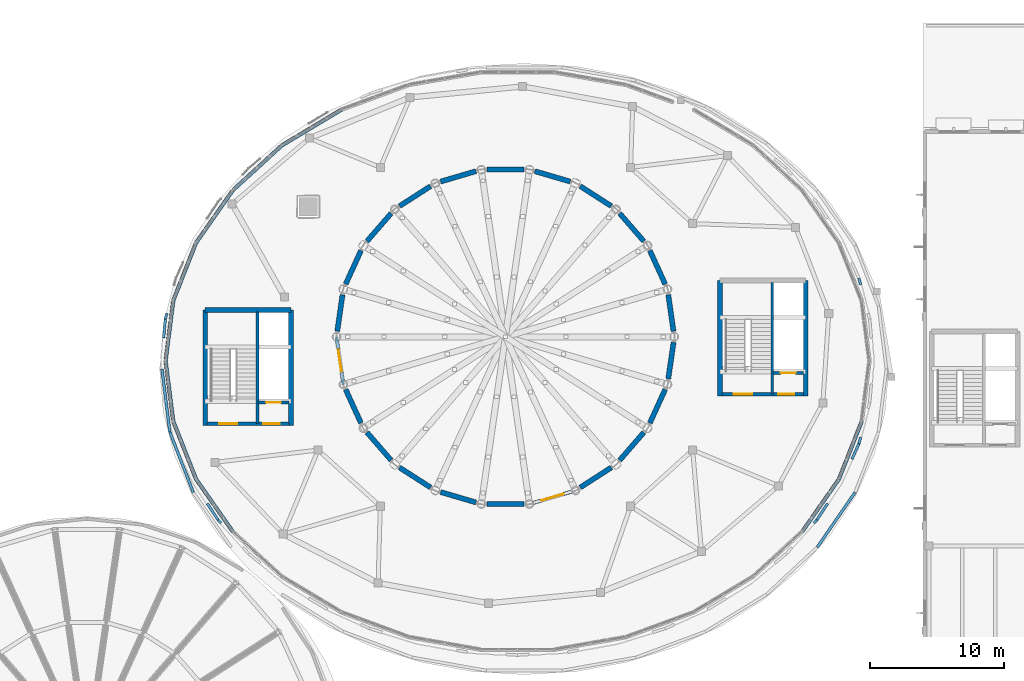
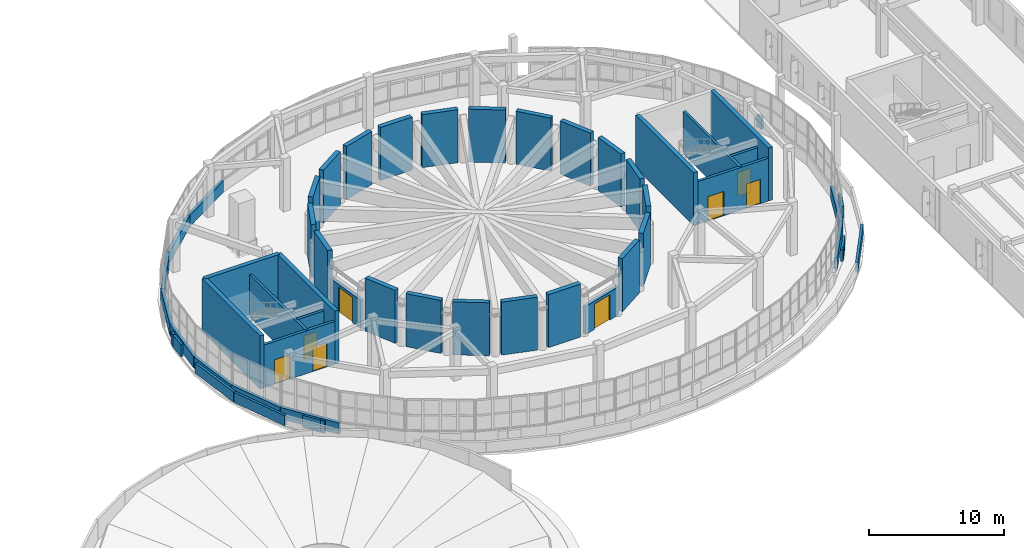
# One storey, part 59 of 69: 55 walls, 8 doors, 8 openings.
"""IFC4 building model written with IfcOpenShell, lengths in metres."""

from ifc_helpers import new_model, si_unit, direction, frame, frame_2d, origin, place, context, subcontext, project, spatial, rectangle, extrude, material, layer, layer_set, type_object, element, fill, save


model = new_model("IFC4")

# Units and contexts
model_context = context("Model", 3, precision=1e-05, world=origin(), true_north=direction((0.0, 1.0)))
body_context = subcontext(model_context, "Body", "Model", "MODEL_VIEW")
ifc_project = project(units=[si_unit("LENGTHUNIT", "METRE"), si_unit("AREAUNIT", "SQUARE_METRE"), si_unit("VOLUMEUNIT", "CUBIC_METRE"), si_unit("PLANEANGLEUNIT", "RADIAN"), si_unit("MASSUNIT", "GRAM", prefix="KILO")], contexts=[model_context])

# Site, building, storey
site_placement = place(None, origin())
site = spatial("IfcSite", under=ifc_project, at=site_placement, CompositionType="ELEMENT")
building_placement = place(site_placement, origin())
building = spatial("IfcBuilding", under=site, at=building_placement, Name="Pelvatis Terrace Science Centre", CompositionType="ELEMENT")
storey_placement = place(building_placement, frame((0.0, 0.0, 15.0)))
storey = spatial("IfcBuildingStorey", under=building, at=storey_placement, Name="L03", CompositionType="ELEMENT", Elevation=15.0)

# Walls
ifc_material_1 = material(Name="White architectural precast concrete C40/50 spandrel", Category="concrete")
ifc_layer_1 = layer(ifc_material_1, 0.27490234375)
ifc_layer_set_1 = layer_set([ifc_layer_1], Name="White architectural precast concrete C40/50 spandrel")
wall_type_1 = type_object("IfcWallType", Name="WL-EXT-SPND-275", PredefinedType="SOLIDWALL", material=ifc_layer_set_1)
wall_1_placement = place(storey_placement, frame((96.97509765625, 102.74951171875, 0.0), z_axis=(0.0, 0.0, 1.0), x_axis=(-0.85778413156, -0.514010100721, 0.0)))
element("IfcWall", 1, at=wall_1_placement, inside=storey, type_object=wall_type_1, Name="V1 white spiral spandrel band 11 (L03)", PredefinedType="SOLIDWALL", context=body_context, shape_type="SweptSolid", body=[
    extrude(rectangle(XDim=5.17578125, YDim=0.27490234375, at=frame_2d((2.587890625, 0.0))), origin(), (0.0, 0.0, 1.0), 1.02001953125),
])
wall_2_placement = place(storey_placement, frame((92.535400390625, 100.089111328125, 0.0), z_axis=(0.0, 0.0, 1.0), x_axis=(-0.737412540924, -0.675442628569, 0.0)))
element("IfcWall", 2, at=wall_2_placement, inside=storey, type_object=wall_type_1, Name="V1 white spiral spandrel band 12 (L03)", PredefinedType="SOLIDWALL", context=body_context, shape_type="SweptSolid", body=[
    extrude(rectangle(XDim=4.979736328125, YDim=0.27490234375, at=frame_2d((2.48974609375, 0.0))), origin(), (0.0, 0.0, 1.0), 1.02001953125),
])
wall_3_placement = place(storey_placement, frame((88.86328125, 96.7255859375, 0.0), z_axis=(0.0, 0.0, 1.0), x_axis=(-0.573479467005, -0.819219934403, 0.0)))
element("IfcWall", 3, at=wall_3_placement, inside=storey, type_object=wall_type_1, Name="V1 white spiral spandrel band 13 (L03)", PredefinedType="SOLIDWALL", context=body_context, shape_type="SweptSolid", body=[
    extrude(rectangle(XDim=4.78466796875, YDim=0.27490234375, at=frame_2d((2.392333984375, 0.0))), origin(), (0.0, 0.0, 1.0), 1.02001953125),
])
wall_4_placement = place(storey_placement, frame((86.119384765625, 92.805908203125, 0.0), z_axis=(0.0, 0.0, 1.0), x_axis=(-0.366527286819, -0.930407302216, 0.0)))
element("IfcWall", 4, at=wall_4_placement, inside=storey, type_object=wall_type_1, Name="V1 white spiral spandrel band 14 (L03)", PredefinedType="SOLIDWALL", context=body_context, shape_type="SweptSolid", body=[
    extrude(rectangle(XDim=4.626708984375, YDim=0.27490234375, at=frame_2d((2.3134765625, 0.0))), origin(), (0.0, 0.0, 1.0), 1.02001953125),
])
for number, where, z_axis, x_axis, name in (
    (5, (84.423583984375, 88.501220703125, 0.0), (0.0, 0.0, 1.0), (-0.126385200064, -0.991981240349, 0.0), "V1 white spiral spandrel band 15 (L03)"),
    (6, (83.85009765625, 84.0, 0.0), (0.0, 0.0, 1.0), (0.126385200064, -0.991981240349, 0.0), "V1 white spiral spandrel band 16 (L03)"),
):
    element("IfcWall", number, at=place(storey_placement, frame(where, z_axis=z_axis, x_axis=x_axis)), inside=storey, type_object=wall_type_1, Name=name, PredefinedType="SOLIDWALL", context=body_context, shape_type="SweptSolid", body=[
        extrude(rectangle(XDim=4.53759765625, YDim=0.27490234375, at=frame_2d((2.268798828125, 0.0))), origin(), (0.0, 0.0, 1.0), 1.02001953125),
    ])
wall_5_placement = place(storey_placement, frame((84.423583984375, 79.498779296875, 0.0), z_axis=(0.0, 0.0, 1.0), x_axis=(0.366527286819, -0.930407302216, 0.0)))
element("IfcWall", 7, at=wall_5_placement, inside=storey, type_object=wall_type_1, Name="V1 white spiral spandrel band 17 (L03)", PredefinedType="SOLIDWALL", context=body_context, shape_type="SweptSolid", body=[
    extrude(rectangle(XDim=4.626708984375, YDim=0.27490234375, at=frame_2d((2.3134765625, 0.0))), origin(), (0.0, 0.0, 1.0), 1.02001953125),
])
for number, where, z_axis, x_axis, name in (
    (8, (86.119384765625, 75.194091796875, 0.0), (0.0, 0.0, 1.0), (0.573479467005, -0.819219934403, 0.0), "V1 white spiral spandrel band 18 (L03)"),
    (9, (131.336669921875, 71.2744140625, 0.0), (0.0, 0.0, 1.0), (0.573479467005, 0.819219934403, 0.0), "V1 white spiral spandrel band 28 (L03)"),
):
    element("IfcWall", number, at=place(storey_placement, frame(where, z_axis=z_axis, x_axis=x_axis)), inside=storey, type_object=wall_type_1, Name=name, PredefinedType="SOLIDWALL", context=body_context, shape_type="SweptSolid", body=[
        extrude(rectangle(XDim=4.78466796875, YDim=0.27490234375, at=frame_2d((2.392333984375, 0.0))), origin(), (0.0, 0.0, 1.0), 1.02001953125),
    ])
wall_6_placement = place(storey_placement, frame((134.08056640625, 75.194091796875, 0.0), z_axis=(0.0, 0.0, 1.0), x_axis=(0.366527286819, 0.930407302216, 0.0)))
element("IfcWall", 10, at=wall_6_placement, inside=storey, type_object=wall_type_1, Name="V1 white spiral spandrel band 29 (L03)", PredefinedType="SOLIDWALL", context=body_context, shape_type="SweptSolid", body=[
    extrude(rectangle(XDim=4.626708984375, YDim=0.27490234375, at=frame_2d((2.3134765625, 0.0))), origin(), (0.0, 0.0, 1.0), 1.02001953125),
])

# Wall, opening, door
ifc_material_2 = material(Name="Double-stud acoustic gypsum and masonry partition", Category="masonry")
ifc_layer_2 = layer(ifc_material_2, 0.2548828125)
ifc_layer_set_2 = layer_set([ifc_layer_2], Name="Double-stud acoustic gypsum and masonry partition")
wall_type_2 = type_object("IfcWallType", Name="WL-INT-ACOU-255", PredefinedType="PARTITIONING", material=ifc_layer_set_2)
wall_7_placement = place(storey_placement, frame((96.60009765625, 85.800048828125, 0.0), z_axis=(0.0, 0.0, 1.0), x_axis=(0.142279062089, -0.98982658506, 0.0)))
wall_7 = element("IfcWall", 11, at=wall_7_placement, inside=storey, type_object=wall_type_2, Name="Planetarium auditorium acoustic portal wall W", PredefinedType="PARTITIONING", context=body_context, shape_type="SweptSolid", body=[
    extrude(rectangle(XDim=3.586181640625, YDim=0.2548828125, at=frame_2d((1.79296875, 0.0))), origin(), (0.0, 0.0, 1.0), 2.550048828125),
])
opening_1_placement = place(wall_7_placement, frame((0.943115234375, 0.0, 0.0)))
opening_1 = element("IfcOpeningElement", 12, at=opening_1_placement, cuts=wall_7, Name="Opening D-162", PredefinedType="OPENING", context=body_context, shape_type="SweptSolid", body=[
    extrude(rectangle(XDim=1.699951171875, YDim=2.300048828125, at=frame_2d((0.85009765625, 1.14990234375))), frame((0.0, 0.137451171875, 0.0), z_axis=(0.0, -1.0, 0.0), x_axis=(1.0, 0.0, 0.0)), (0.0, 0.0, 1.0), 0.27490234375),
])
ifc_material_3 = material(Name="Acoustic light-lock planetarium double door", Category="wood")
door_type_1 = type_object("IfcDoorType", Name="DR-PLAN-1700x2300", OperationType="NOTDEFINED", PredefinedType="DOOR", material=ifc_material_3)
door_1_placement = place(opening_1_placement, origin())
door_1 = element("IfcDoor", 13, at=door_1_placement, inside=storey, type_object=door_type_1, Name="Planetarium auditorium W acoustic double door", OperationType="DOUBLE_DOOR_SINGLE_SWING", OverallHeight=2.300048828125, OverallWidth=1.699951171875, PredefinedType="DOOR", context=body_context, shape_type="SweptSolid", body=[
    extrude(rectangle(XDim=1.699951171875, YDim=2.300048828125, at=frame_2d((0.85009765625, 1.14990234375))), frame((0.0, 0.02490234375, 0.0), z_axis=(0.0, -1.0, 0.0), x_axis=(1.0, 0.0, 0.0)), (0.0, 0.0, 1.0), 0.050048828125),
])
fill(opening_1, door_1)

wall_8_placement = place(storey_placement, frame((110.9931640625, 73.328125, 0.0), z_axis=(0.0, 0.0, 1.0), x_axis=(0.959481412085, 0.281771928808, 0.0)))
wall_8 = element("IfcWall", 14, at=wall_8_placement, inside=storey, type_object=wall_type_2, Name="Planetarium auditorium acoustic portal wall S", PredefinedType="PARTITIONING", context=body_context, shape_type="SweptSolid", body=[
    extrude(rectangle(XDim=3.586181640625, YDim=0.2548828125, at=frame_2d((1.79296875, 0.0))), origin(), (0.0, 0.0, 1.0), 2.550048828125),
])
opening_2_placement = place(wall_8_placement, frame((0.943115234375, 0.0, 0.0)))
opening_2 = element("IfcOpeningElement", 15, at=opening_2_placement, cuts=wall_8, Name="Opening D-163", PredefinedType="OPENING", context=body_context, shape_type="SweptSolid", body=[
    extrude(rectangle(XDim=1.699951171875, YDim=2.300048828125, at=frame_2d((0.85009765625, 1.14990234375))), frame((0.0, 0.137451171875, 0.0), z_axis=(0.0, -1.0, 0.0), x_axis=(1.0, 0.0, 0.0)), (0.0, 0.0, 1.0), 0.27490234375),
])
door_2_placement = place(opening_2_placement, origin())
door_2 = element("IfcDoor", 16, at=door_2_placement, inside=storey, type_object=door_type_1, Name="Planetarium auditorium S acoustic double door", OperationType="DOUBLE_DOOR_SINGLE_SWING", OverallHeight=2.300048828125, OverallWidth=1.699951171875, PredefinedType="DOOR", context=body_context, shape_type="SweptSolid", body=[
    extrude(rectangle(XDim=1.699951171875, YDim=2.300048828125, at=frame_2d((0.85009765625, 1.14990234375))), frame((0.0, 0.02490234375, 0.0), z_axis=(0.0, -1.0, 0.0), x_axis=(1.0, 0.0, 0.0)), (0.0, 0.0, 1.0), 0.050048828125),
])
fill(opening_2, door_2)

# Walls
ifc_material_4 = material(Name="Concrete C35/45 shaft dividing wall", Category="concrete")
ifc_layer_3 = layer(ifc_material_4, 0.2099609375)
ifc_layer_set_3 = layer_set([ifc_layer_3], Name="Concrete C35/45 shaft dividing wall")
wall_type_3 = type_object("IfcWallType", Name="WL-INT-CORE-210", PredefinedType="PARTITIONING", material=ifc_layer_set_3)
wall_9_placement = place(storey_placement, frame((90.699951171875, 79.35009765625, 0.0), z_axis=(0.0, 0.0, 1.0), x_axis=(0.0, 1.0, 0.0)))
element("IfcWall", 17, at=wall_9_placement, inside=storey, type_object=wall_type_3, Name="Core C1 stair-lift shaft fire wall (L03)", PredefinedType="PARTITIONING", context=body_context, shape_type="SweptSolid", body=[
    extrude(rectangle(XDim=8.2998046875, YDim=0.2099609375, at=frame_2d((4.14990234375, 0.0))), origin(), (0.0, 0.0, 1.0), 3.8701171875),
])
wall_10_placement = place(storey_placement, frame((129.10009765625, 81.550048828125, 0.0), z_axis=(0.0, 0.0, 1.0), x_axis=(0.0, 1.0, 0.0)))
element("IfcWall", 18, at=wall_10_placement, inside=storey, type_object=wall_type_3, Name="Core C2 stair-lift shaft fire wall (L03)", PredefinedType="PARTITIONING", context=body_context, shape_type="SweptSolid", body=[
    extrude(rectangle(XDim=8.300048828125, YDim=0.2099609375, at=frame_2d((4.14990234375, 0.0))), origin(), (0.0, 0.0, 1.0), 3.8701171875),
])

# Wall, opening, door
ifc_material_5 = material(Name="Concrete C35/45 stair enclosure wall", Category="concrete")
ifc_layer_4 = layer(ifc_material_5, 0.22509765625)
ifc_layer_set_4 = layer_set([ifc_layer_4], Name="Concrete C35/45 stair enclosure wall")
wall_type_4 = type_object("IfcWallType", Name="WL-INT-CORE-225", PredefinedType="PARTITIONING", material=ifc_layer_set_4)
wall_11_placement = place(storey_placement, frame((90.75, 80.89990234375, 0.0), z_axis=(0.0, 0.0, 1.0), x_axis=(1.0, 0.0, 0.0)))
wall_11 = element("IfcWall", 19, at=wall_11_placement, inside=storey, type_object=wall_type_4, Name="Core C1 lift shaft landing wall (L03)", PredefinedType="PARTITIONING", context=body_context, shape_type="SweptSolid", body=[
    extrude(rectangle(XDim=2.300048828125, YDim=0.22509765625, at=frame_2d((1.14990234375, 0.0))), origin(), (0.0, 0.0, 1.0), 3.8701171875),
])
opening_3_placement = place(wall_11_placement, frame((0.60009765625, 0.0, 0.0)))
opening_3 = element("IfcOpeningElement", 20, at=opening_3_placement, cuts=wall_11, Name="Opening LD-C1-5", PredefinedType="OPENING", context=body_context, shape_type="SweptSolid", body=[
    extrude(rectangle(XDim=1.10009765625, YDim=2.14990234375, at=frame_2d((0.550048828125, 1.074951171875))), frame((0.0, 0.12255859375, 0.0), z_axis=(0.0, -1.0, 0.0), x_axis=(1.0, 0.0, 0.0)), (0.0, 0.0, 1.0), 0.2451171875),
])
ifc_material_6 = material(Name="Stainless steel sliding fire-fighting lift landing door", Category="steel")
door_type_2 = type_object("IfcDoorType", Name="DR-LIFT-1100x2150", OperationType="NOTDEFINED", PredefinedType="DOOR", material=ifc_material_6)
door_3_placement = place(opening_3_placement, origin())
door_3 = element("IfcDoor", 21, at=door_3_placement, inside=storey, type_object=door_type_2, Name="Lift LF-01 sliding landing door (L03)", OperationType="SLIDING_TO_LEFT", OverallHeight=2.14990234375, OverallWidth=1.10009765625, PredefinedType="DOOR", context=body_context, shape_type="SweptSolid", body=[
    extrude(rectangle(XDim=1.10009765625, YDim=2.14990234375, at=frame_2d((0.550048828125, 1.074951171875))), frame((0.0, 0.02490234375, 0.0), z_axis=(0.0, -1.0, 0.0), x_axis=(1.0, 0.0, 0.0)), (0.0, 0.0, 1.0), 0.050048828125),
])
fill(opening_3, door_3)

wall_12_placement = place(storey_placement, frame((129.14990234375, 83.10009765625, 0.0), z_axis=(0.0, 0.0, 1.0), x_axis=(1.0, 0.0, 0.0)))
wall_12 = element("IfcWall", 22, at=wall_12_placement, inside=storey, type_object=wall_type_4, Name="Core C2 lift shaft landing wall (L03)", PredefinedType="PARTITIONING", context=body_context, shape_type="SweptSolid", body=[
    extrude(rectangle(XDim=2.300048828125, YDim=0.22509765625, at=frame_2d((1.14990234375, 0.0))), origin(), (0.0, 0.0, 1.0), 3.8701171875),
])
opening_4_placement = place(wall_12_placement, frame((0.60009765625, 0.0, 0.0)))
opening_4 = element("IfcOpeningElement", 23, at=opening_4_placement, cuts=wall_12, Name="Opening LD-C2-5", PredefinedType="OPENING", context=body_context, shape_type="SweptSolid", body=[
    extrude(rectangle(XDim=1.10009765625, YDim=2.14990234375, at=frame_2d((0.550048828125, 1.074951171875))), frame((0.0, 0.12255859375, 0.0), z_axis=(0.0, -1.0, 0.0), x_axis=(1.0, 0.0, 0.0)), (0.0, 0.0, 1.0), 0.2451171875),
])
door_4_placement = place(opening_4_placement, origin())
door_4 = element("IfcDoor", 24, at=door_4_placement, inside=storey, type_object=door_type_2, Name="Lift LF-02 sliding landing door (L03)", OperationType="SLIDING_TO_LEFT", OverallHeight=2.14990234375, OverallWidth=1.10009765625, PredefinedType="DOOR", context=body_context, shape_type="SweptSolid", body=[
    extrude(rectangle(XDim=1.10009765625, YDim=2.14990234375, at=frame_2d((0.550048828125, 1.074951171875))), frame((0.0, 0.02490234375, 0.0), z_axis=(0.0, -1.0, 0.0), x_axis=(1.0, 0.0, 0.0)), (0.0, 0.0, 1.0), 0.050048828125),
])
fill(opening_4, door_4)

# Wall, openings, doors
ifc_material_7 = material(Name="Concrete C35/45 shaft enclosure wall", Category="concrete")
ifc_layer_5 = layer(ifc_material_7, 0.239990234375)
ifc_layer_set_5 = layer_set([ifc_layer_5], Name="Concrete C35/45 shaft enclosure wall")
wall_type_5 = type_object("IfcWallType", Name="WL-INT-CORE-240", PredefinedType="PARTITIONING", material=ifc_layer_set_5)
wall_13_placement = place(storey_placement, frame((86.949951171875, 79.320068359375, 0.0), z_axis=(0.0, 0.0, 1.0), x_axis=(1.0, 0.0, 0.0)))
wall_13 = element("IfcWall", 25, at=wall_13_placement, inside=storey, type_object=wall_type_5, Name="Core C1 fire-rated lobby wall (L03)", PredefinedType="PARTITIONING", context=body_context, shape_type="SweptSolid", body=[
    extrude(rectangle(XDim=6.10009765625, YDim=0.239990234375, at=frame_2d((3.050048828125, 0.0))), origin(), (0.0, 0.0, 1.0), 3.8701171875),
])
opening_5_placement = place(wall_13_placement, frame((0.89990234375, 0.0, 0.0)))
opening_5 = element("IfcOpeningElement", 26, at=opening_5_placement, cuts=wall_13, Name="Opening D-109", PredefinedType="OPENING", context=body_context, shape_type="SweptSolid", body=[
    extrude(rectangle(XDim=1.35009765625, YDim=2.199951171875, at=frame_2d((0.675048828125, 1.10009765625))), frame((0.0, 0.1298828125, 0.0), z_axis=(0.0, -1.0, 0.0), x_axis=(1.0, 0.0, 0.0)), (0.0, 0.0, 1.0), 0.260009765625),
])
opening_6_placement = place(wall_13_placement, frame((4.199951171875, 0.0, 0.0)))
opening_6 = element("IfcOpeningElement", 27, at=opening_6_placement, cuts=wall_13, Name="Opening D-110", PredefinedType="OPENING", context=body_context, shape_type="SweptSolid", body=[
    extrude(rectangle(XDim=1.199951171875, YDim=2.199951171875, at=frame_2d((0.60009765625, 1.10009765625))), frame((0.0, 0.1298828125, 0.0), z_axis=(0.0, -1.0, 0.0), x_axis=(1.0, 0.0, 0.0)), (0.0, 0.0, 1.0), 0.260009765625),
])
ifc_material_8 = material(Name="Steel fire-rated exit stair door", Category="steel")
door_type_3 = type_object("IfcDoorType", Name="DR-STAIR-1200x2200", OperationType="NOTDEFINED", PredefinedType="DOOR", material=ifc_material_8)
door_5_placement = place(opening_6_placement, origin())
door_5 = element("IfcDoor", 28, at=door_5_placement, inside=storey, type_object=door_type_3, Name="Core C1 lift lobby fire door (L03)", OperationType="SINGLE_SWING_RIGHT", OverallHeight=2.199951171875, OverallWidth=1.199951171875, PredefinedType="DOOR", context=body_context, shape_type="SweptSolid", body=[
    extrude(rectangle(XDim=1.199951171875, YDim=2.199951171875, at=frame_2d((0.60009765625, 1.10009765625))), frame((0.0, 0.02490234375, 0.0), z_axis=(0.0, -1.0, 0.0), x_axis=(1.0, 0.0, 0.0)), (0.0, 0.0, 1.0), 0.050048828125),
])
fill(opening_6, door_5)
ifc_material_9 = material(Name="Steel fire-rated protected stair door", Category="steel")
door_type_4 = type_object("IfcDoorType", Name="DR-STAIR-1350x2200", OperationType="NOTDEFINED", PredefinedType="DOOR", material=ifc_material_9)
door_6_placement = place(opening_5_placement, origin())
door_6 = element("IfcDoor", 29, at=door_6_placement, inside=storey, type_object=door_type_4, Name="Core C1 protected stair fire door (L03)", OperationType="SINGLE_SWING_LEFT", OverallHeight=2.199951171875, OverallWidth=1.35009765625, PredefinedType="DOOR", context=body_context, shape_type="SweptSolid", body=[
    extrude(rectangle(XDim=1.35009765625, YDim=2.199951171875, at=frame_2d((0.675048828125, 1.10009765625))), frame((0.0, 0.02490234375, 0.0), z_axis=(0.0, -1.0, 0.0), x_axis=(1.0, 0.0, 0.0)), (0.0, 0.0, 1.0), 0.050048828125),
])
fill(opening_5, door_6)

wall_14_placement = place(storey_placement, frame((125.35009765625, 81.52001953125, 0.0), z_axis=(0.0, 0.0, 1.0), x_axis=(1.0, 0.0, 0.0)))
wall_14 = element("IfcWall", 30, at=wall_14_placement, inside=storey, type_object=wall_type_5, Name="Core C2 fire-rated lobby wall (L03)", PredefinedType="PARTITIONING", context=body_context, shape_type="SweptSolid", body=[
    extrude(rectangle(XDim=6.099853515625, YDim=0.239990234375, at=frame_2d((3.0498046875, 0.0))), origin(), (0.0, 0.0, 1.0), 3.8701171875),
])
opening_7_placement = place(wall_14_placement, frame((0.89990234375, 0.0, 0.0)))
opening_7 = element("IfcOpeningElement", 31, at=opening_7_placement, cuts=wall_14, Name="Opening D-123", PredefinedType="OPENING", context=body_context, shape_type="SweptSolid", body=[
    extrude(rectangle(XDim=1.35009765625, YDim=2.199951171875, at=frame_2d((0.675048828125, 1.10009765625))), frame((0.0, 0.1298828125, 0.0), z_axis=(0.0, -1.0, 0.0), x_axis=(1.0, 0.0, 0.0)), (0.0, 0.0, 1.0), 0.260009765625),
])
opening_8_placement = place(wall_14_placement, frame((4.199951171875, 0.0, 0.0)))
opening_8 = element("IfcOpeningElement", 32, at=opening_8_placement, cuts=wall_14, Name="Opening D-124", PredefinedType="OPENING", context=body_context, shape_type="SweptSolid", body=[
    extrude(rectangle(XDim=1.199951171875, YDim=2.199951171875, at=frame_2d((0.60009765625, 1.10009765625))), frame((0.0, 0.1298828125, 0.0), z_axis=(0.0, -1.0, 0.0), x_axis=(1.0, 0.0, 0.0)), (0.0, 0.0, 1.0), 0.260009765625),
])
door_7_placement = place(opening_8_placement, origin())
door_7 = element("IfcDoor", 33, at=door_7_placement, inside=storey, type_object=door_type_3, Name="Core C2 lift lobby fire door (L03)", OperationType="SINGLE_SWING_RIGHT", OverallHeight=2.199951171875, OverallWidth=1.199951171875, PredefinedType="DOOR", context=body_context, shape_type="SweptSolid", body=[
    extrude(rectangle(XDim=1.199951171875, YDim=2.199951171875, at=frame_2d((0.60009765625, 1.10009765625))), frame((0.0, 0.02490234375, 0.0), z_axis=(0.0, -1.0, 0.0), x_axis=(1.0, 0.0, 0.0)), (0.0, 0.0, 1.0), 0.050048828125),
])
fill(opening_8, door_7)
door_8_placement = place(opening_7_placement, origin())
door_8 = element("IfcDoor", 34, at=door_8_placement, inside=storey, type_object=door_type_4, Name="Core C2 protected stair fire door (L03)", OperationType="SINGLE_SWING_LEFT", OverallHeight=2.199951171875, OverallWidth=1.35009765625, PredefinedType="DOOR", context=body_context, shape_type="SweptSolid", body=[
    extrude(rectangle(XDim=1.35009765625, YDim=2.199951171875, at=frame_2d((0.675048828125, 1.10009765625))), frame((0.0, 0.02490234375, 0.0), z_axis=(0.0, -1.0, 0.0), x_axis=(1.0, 0.0, 0.0)), (0.0, 0.0, 1.0), 0.050048828125),
])
fill(opening_7, door_8)

# Walls
ifc_material_10 = material(Name="White architectural precast concrete C40/50 spandrel parapet", Category="concrete")
ifc_layer_6 = layer(ifc_material_10, 0.18994140625)
ifc_layer_set_6 = layer_set([ifc_layer_6], Name="White architectural precast concrete C40/50 spandrel parapet")
wall_type_6 = type_object("IfcWallType", Name="WL-PAR-190", PredefinedType="PARAPET", material=ifc_layer_set_6)
wall_15_placement = place(storey_placement, frame((83.709228515625, 85.7236328125, 0.0), z_axis=(0.0, 0.0, 1.0), x_axis=(0.086186319991, 0.996279036338, 0.0)))
element("IfcWall", 35, at=wall_15_placement, inside=storey, type_object=wall_type_6, Name="Perimeter edge closure parapet PW-EDG-L03-341", PredefinedType="PARAPET", context=body_context, shape_type="SweptSolid", body=[
    extrude(rectangle(XDim=1.402099609375, YDim=0.18994140625, at=frame_2d((0.701171875, 0.0))), origin(), (0.0, 0.0, 1.0), 1.1201171875),
])
wall_16_placement = place(storey_placement, frame((83.830078125, 87.12060546875, 0.0), z_axis=(0.0, 0.0, 1.0), x_axis=(0.253970087485, 0.967212073262, 0.0)))
element("IfcWall", 36, at=wall_16_placement, inside=storey, type_object=wall_type_6, Name="Perimeter edge closure parapet PW-EDG-L03-342", PredefinedType="PARAPET", context=body_context, shape_type="SweptSolid", body=[
    extrude(rectangle(XDim=0.4365234375, YDim=0.18994140625, at=frame_2d((0.21826171875, 0.0))), origin(), (0.0, 0.0, 1.0), 1.1201171875),
])
for number, where, z_axis, x_axis, name in (
    (37, (135.565673828125, 90.177978515625, 0.0), (0.0, 0.0, 1.0), (0.25470185943, -0.967019628965, 0.0), "Perimeter edge closure parapet PW-EDG-L03-355"),
    (38, (135.69775390625, 78.323486328125, 0.0), (0.0, 0.0, 1.0), (-0.25470185943, -0.967019628965, 0.0), "Perimeter edge closure parapet PW-EDG-L03-360"),
):
    element("IfcWall", number, at=place(storey_placement, frame(where, z_axis=z_axis, x_axis=x_axis)), inside=storey, type_object=wall_type_6, Name=name, PredefinedType="PARAPET", context=body_context, shape_type="SweptSolid", body=[
        extrude(rectangle(XDim=0.5185546875, YDim=0.18994140625, at=frame_2d((0.25927734375, 0.0))), origin(), (0.0, 0.0, 1.0), 1.1201171875),
    ])
wall_17_placement = place(storey_placement, frame((135.565673828125, 77.822021484375, 0.0), z_axis=(0.0, 0.0, 1.0), x_axis=(-0.411063667156, -0.911606637506, 0.0)))
element("IfcWall", 39, at=wall_17_placement, inside=storey, type_object=wall_type_6, Name="Perimeter edge closure parapet PW-EDG-L03-361", PredefinedType="PARAPET", context=body_context, shape_type="SweptSolid", body=[
    extrude(rectangle(XDim=1.26318359375, YDim=0.18994140625, at=frame_2d((0.631591796875, 0.0))), origin(), (0.0, 0.0, 1.0), 1.1201171875),
])
wall_18_placement = place(storey_placement, frame((133.2392578125, 73.368896484375, 0.0), z_axis=(0.0, 0.0, 1.0), x_axis=(-0.551013504073, -0.834496326133, 0.0)))
element("IfcWall", 40, at=wall_18_placement, inside=storey, type_object=wall_type_6, Name="Perimeter edge closure parapet PW-EDG-L03-362", PredefinedType="PARAPET", context=body_context, shape_type="SweptSolid", body=[
    extrude(rectangle(XDim=1.46923828125, YDim=0.18994140625, at=frame_2d((0.734619140625, 0.0))), origin(), (0.0, 0.0, 1.0), 1.1201171875),
])
for number, where, z_axis, x_axis, name in (
    (41, (132.4296875, 72.142822265625, 0.0), (0.0, 0.0, 1.0), (-0.670853573521, -0.741589834675, 0.0), "Perimeter edge closure parapet PW-EDG-L03-363"),
    (42, (87.985595703125, 71.90478515625, 0.0), (0.0, 0.0, 1.0), (-0.670853573521, 0.741589834675, 0.0), "Perimeter edge closure parapet PW-EDG-L03-378"),
):
    element("IfcWall", number, at=place(storey_placement, frame(where, z_axis=z_axis, x_axis=x_axis)), inside=storey, type_object=wall_type_6, Name=name, PredefinedType="PARAPET", context=body_context, shape_type="SweptSolid", body=[
        extrude(rectangle(XDim=0.321044921875, YDim=0.18994140625, at=frame_2d((0.16064453125, 0.0))), origin(), (0.0, 0.0, 1.0), 1.1201171875),
    ])
wall_19_placement = place(storey_placement, frame((87.770263671875, 72.142822265625, 0.0), z_axis=(0.0, 0.0, 1.0), x_axis=(-0.551013504073, 0.834496326133, 0.0)))
element("IfcWall", 43, at=wall_19_placement, inside=storey, type_object=wall_type_6, Name="Perimeter edge closure parapet PW-EDG-L03-379", PredefinedType="PARAPET", context=body_context, shape_type="SweptSolid", body=[
    extrude(rectangle(XDim=1.46923828125, YDim=0.18994140625, at=frame_2d((0.734619140625, 0.0))), origin(), (0.0, 0.0, 1.0), 1.1201171875),
])
ifc_material_11 = material(Name="White architectural precast concrete C40/50 spandrel parapet", Category="concrete")
ifc_layer_7 = layer(ifc_material_11, 0.205078125)
ifc_layer_set_7 = layer_set([ifc_layer_7], Name="White architectural precast concrete C40/50 spandrel parapet")
wall_type_7 = type_object("IfcWallType", Name="WL-PAR-205", PredefinedType="PARAPET", material=ifc_layer_set_7)
wall_20_placement = place(storey_placement, frame((83.580078125, 83.39990234375, 0.0), z_axis=(0.0, 0.0, 1.0), x_axis=(0.124548220857, -0.992213555985, 0.0)))
element("IfcWall", 44, at=wall_20_placement, inside=storey, type_object=wall_type_7, Name="White spiral ring parapet PW-CRV-L03-083", PredefinedType="PARAPET", context=body_context, shape_type="SweptSolid", body=[
    extrude(rectangle(XDim=4.73974609375, YDim=0.205078125, at=frame_2d((2.369873046875, 0.0))), origin(), (0.0, 0.0, 1.0), 0.919921875),
])
wall_21_placement = place(storey_placement, frame((84.17041015625, 78.697021484375, 0.0), z_axis=(0.0, 0.0, 1.0), x_axis=(0.361842966646, -0.93223906134, 0.0)))
element("IfcWall", 45, at=wall_21_placement, inside=storey, type_object=wall_type_7, Name="White spiral ring parapet PW-CRV-L03-084", PredefinedType="PARAPET", context=body_context, shape_type="SweptSolid", body=[
    extrude(rectangle(XDim=4.82421875, YDim=0.205078125, at=frame_2d((2.412109375, 0.0))), origin(), (0.0, 0.0, 1.0), 0.919921875),
])
wall_22_placement = place(storey_placement, frame((132.459716796875, 70.104248046875, 0.0), z_axis=(0.0, 0.0, 1.0), x_axis=(0.567700844987, 0.823234930382, 0.0)))
element("IfcWall", 46, at=wall_22_placement, inside=storey, type_object=wall_type_7, Name="White spiral ring parapet PW-CRV-L03-094", PredefinedType="PARAPET", context=body_context, shape_type="SweptSolid", body=[
    extrude(rectangle(XDim=4.974853515625, YDim=0.205078125, at=frame_2d((2.4873046875, 0.0))), origin(), (0.0, 0.0, 1.0), 0.919921875),
])
ifc_material_12 = material(Name="Concrete C40/50", Category="concrete")
ifc_layer_8 = layer(ifc_material_12, 0.35009765625)
ifc_layer_set_8 = layer_set([ifc_layer_8], Name="Concrete C40/50")
wall_type_8 = type_object("IfcWallType", Name="WL-SHR-350", PredefinedType="SHEAR", material=ifc_layer_set_8)
wall_23_placement = place(storey_placement, frame((86.800048828125, 87.800048828125, 0.0), z_axis=(0.0, 0.0, 1.0), x_axis=(1.0, 0.0, 0.0)))
element("IfcWall", 47, at=wall_23_placement, inside=storey, type_object=wall_type_8, Name="Core C1 shear wall N (L03)", PredefinedType="SHEAR", context=body_context, shape_type="SweptSolid", body=[
    extrude(rectangle(XDim=6.39990234375, YDim=0.35009765625, at=frame_2d((3.199951171875, 0.0))), origin(), (0.0, 0.0, 1.0), 4.800048828125),
])
for number, where, z_axis, x_axis, name in (
    (48, (86.800048828125, 79.199951171875, 0.0), (0.0, 0.0, 1.0), (0.0, 1.0, 0.0), "Core C1 shear wall W (L03)"),
    (49, (93.199951171875, 79.199951171875, 0.0), (0.0, 0.0, 1.0), (0.0, 1.0, 0.0), "Core C1 shear wall E (L03)"),
    (50, (125.199951171875, 81.39990234375, 0.0), (0.0, 0.0, 1.0), (0.0, 1.0, 0.0), "Core C2 shear wall W (L03)"),
    (51, (131.60009765625, 81.39990234375, 0.0), (0.0, 0.0, 1.0), (0.0, 1.0, 0.0), "Core C2 shear wall E (L03)"),
):
    element("IfcWall", number, at=place(storey_placement, frame(where, z_axis=z_axis, x_axis=x_axis)), inside=storey, type_object=wall_type_8, Name=name, PredefinedType="SHEAR", context=body_context, shape_type="SweptSolid", body=[
        extrude(rectangle(XDim=8.60009765625, YDim=0.35009765625, at=frame_2d((4.300048828125, 0.0))), origin(), (0.0, 0.0, 1.0), 4.800048828125),
    ])
ifc_material_13 = material(Name="Concrete C40/50", Category="concrete")
ifc_layer_9 = layer(ifc_material_13, 0.3798828125)
ifc_layer_set_9 = layer_set([ifc_layer_9], Name="Concrete C40/50")
wall_type_9 = type_object("IfcWallType", Name="WL-SHR-380", PredefinedType="SHEAR", material=ifc_layer_set_9)
for number, where, z_axis, x_axis, name in (
    (52, (121.740234375, 86.2158203125, 0.0), (0.0, 0.0, 1.0), (-0.142329860809, 0.98981928185, 0.0), "Planetarium shear drum wall 01 (L03)"),
    (53, (121.114990234375, 89.731689453125, 0.0), (0.0, 0.0, 1.0), (-0.415322734661, 0.909674131804, 0.0), "Planetarium shear drum wall 02 (L03)"),
    (54, (119.52490234375, 92.929443359375, 0.0), (0.0, 0.0, 1.0), (-0.654903462799, 0.755712547476, 0.0), "Planetarium shear drum wall 03 (L03)"),
):
    element("IfcWall", number, at=place(storey_placement, frame(where, z_axis=z_axis, x_axis=x_axis)), inside=storey, type_object=wall_type_9, Name=name, PredefinedType="SHEAR", context=body_context, shape_type="SweptSolid", body=[
        extrude(rectangle(XDim=2.746337890625, YDim=0.3798828125, at=frame_2d((1.373046875, 0.0))), origin(), (0.0, 0.0, 1.0), 4.800048828125),
    ])
wall_24_placement = place(storey_placement, frame((117.097900390625, 95.549560546875, 0.0), z_axis=(0.0, 0.0, 1.0), x_axis=(-0.841273782563, 0.54060930696, 0.0)))
element("IfcWall", 55, at=wall_24_placement, inside=storey, type_object=wall_type_9, Name="Planetarium shear drum wall 04 (L03)", PredefinedType="SHEAR", context=body_context, shape_type="SweptSolid", body=[
    extrude(rectangle(XDim=2.74609375, YDim=0.3798828125, at=frame_2d((1.373046875, 0.0))), origin(), (0.0, 0.0, 1.0), 4.800048828125),
])
for number, where, z_axis, x_axis, name in (
    (56, (114.03125, 97.379638671875, 0.0), (0.0, 0.0, 1.0), (-0.959471601157, 0.281805334538, 0.0), "Planetarium shear drum wall 05 (L03)"),
    (57, (110.5732421875, 98.271728515625, 0.0), (0.0, 0.0, 1.0), (-1.0, 0.0, 0.0), "Planetarium shear drum wall 06 (L03)"),
    (58, (107.00390625, 98.153564453125, 0.0), (0.0, 0.0, 1.0), (-0.959471601157, -0.281805334538, 0.0), "Planetarium shear drum wall 07 (L03)"),
    (59, (103.612548828125, 97.0341796875, 0.0), (0.0, 0.0, 1.0), (-0.841299761826, -0.540568876972, 0.0), "Planetarium shear drum wall 08 (L03)"),
    (60, (100.673828125, 95.0048828125, 0.0), (0.0, 0.0, 1.0), (-0.654903462799, -0.755712547476, 0.0), "Planetarium shear drum wall 09 (L03)"),
    (61, (98.42578125, 92.22998046875, 0.0), (0.0, 0.0, 1.0), (-0.415396292762, -0.909640544369, 0.0), "Planetarium shear drum wall 10 (L03)"),
):
    element("IfcWall", number, at=place(storey_placement, frame(where, z_axis=z_axis, x_axis=x_axis)), inside=storey, type_object=wall_type_9, Name=name, PredefinedType="SHEAR", context=body_context, shape_type="SweptSolid", body=[
        extrude(rectangle(XDim=2.746337890625, YDim=0.3798828125, at=frame_2d((1.373046875, 0.0))), origin(), (0.0, 0.0, 1.0), 4.800048828125),
    ])
wall_25_placement = place(storey_placement, frame((97.050537109375, 88.93408203125, 0.0), z_axis=(0.0, 0.0, 1.0), x_axis=(-0.142242759485, -0.989831802568, 0.0)))
element("IfcWall", 62, at=wall_25_placement, inside=storey, type_object=wall_type_9, Name="Planetarium shear drum wall 11 (L03)", PredefinedType="SHEAR", context=body_context, shape_type="SweptSolid", body=[
    extrude(rectangle(XDim=2.74609375, YDim=0.3798828125, at=frame_2d((1.373046875, 0.0))), origin(), (0.0, 0.0, 1.0), 4.800048828125),
])
for number, where, z_axis, x_axis, name in (
    (63, (97.284912109375, 81.8681640625, 0.0), (0.0, 0.0, 1.0), (0.415396292762, -0.909640544369, 0.0), "Planetarium shear drum wall 13 (L03)"),
    (64, (98.875244140625, 78.67041015625, 0.0), (0.0, 0.0, 1.0), (0.654903462799, -0.755712547476, 0.0), "Planetarium shear drum wall 14 (L03)"),
):
    element("IfcWall", number, at=place(storey_placement, frame(where, z_axis=z_axis, x_axis=x_axis)), inside=storey, type_object=wall_type_9, Name=name, PredefinedType="SHEAR", context=body_context, shape_type="SweptSolid", body=[
        extrude(rectangle(XDim=2.746337890625, YDim=0.3798828125, at=frame_2d((1.373046875, 0.0))), origin(), (0.0, 0.0, 1.0), 4.800048828125),
    ])
wall_26_placement = place(storey_placement, frame((101.302001953125, 76.050537109375, 0.0), z_axis=(0.0, 0.0, 1.0), x_axis=(0.841259333828, -0.540631790822, 0.0)))
element("IfcWall", 65, at=wall_26_placement, inside=storey, type_object=wall_type_9, Name="Planetarium shear drum wall 15 (L03)", PredefinedType="SHEAR", context=body_context, shape_type="SweptSolid", body=[
    extrude(rectangle(XDim=2.74658203125, YDim=0.3798828125, at=frame_2d((1.373291015625, 0.0))), origin(), (0.0, 0.0, 1.0), 4.800048828125),
])
for number, where, z_axis, x_axis, name in (
    (66, (104.368896484375, 74.22021484375, 0.0), (0.0, 0.0, 1.0), (0.959495634771, -0.281723493615, 0.0), "Planetarium shear drum wall 16 (L03)"),
    (67, (107.826904296875, 73.328125, 0.0), (0.0, 0.0, 1.0), (1.0, 0.0, 0.0), "Planetarium shear drum wall 17 (L03)"),
    (68, (114.78759765625, 74.565673828125, 0.0), (0.0, 0.0, 1.0), (0.841233349766, 0.540672221629, 0.0), "Planetarium shear drum wall 19 (L03)"),
    (69, (117.726318359375, 76.594970703125, 0.0), (0.0, 0.0, 1.0), (0.654903462799, 0.755712547476, 0.0), "Planetarium shear drum wall 20 (L03)"),
    (70, (119.974365234375, 79.369873046875, 0.0), (0.0, 0.0, 1.0), (0.415322734661, 0.909674131804, 0.0), "Planetarium shear drum wall 21 (L03)"),
    (71, (121.349365234375, 82.666015625, 0.0), (0.0, 0.0, 1.0), (0.142329860809, 0.98981928185, 0.0), "Planetarium shear drum wall 22 (L03)"),
):
    element("IfcWall", number, at=place(storey_placement, frame(where, z_axis=z_axis, x_axis=x_axis)), inside=storey, type_object=wall_type_9, Name=name, PredefinedType="SHEAR", context=body_context, shape_type="SweptSolid", body=[
        extrude(rectangle(XDim=2.746337890625, YDim=0.3798828125, at=frame_2d((1.373046875, 0.0))), origin(), (0.0, 0.0, 1.0), 4.800048828125),
    ])

save(model, "model.ifc")
